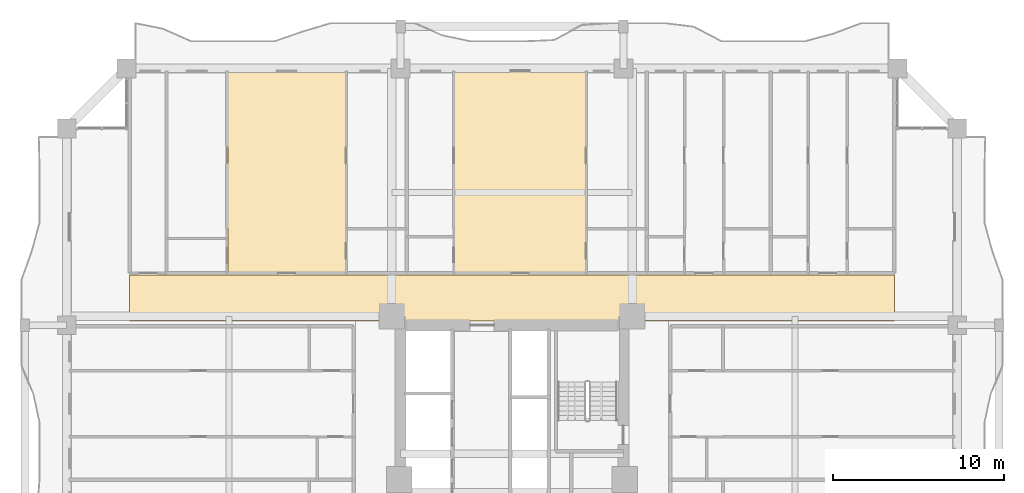
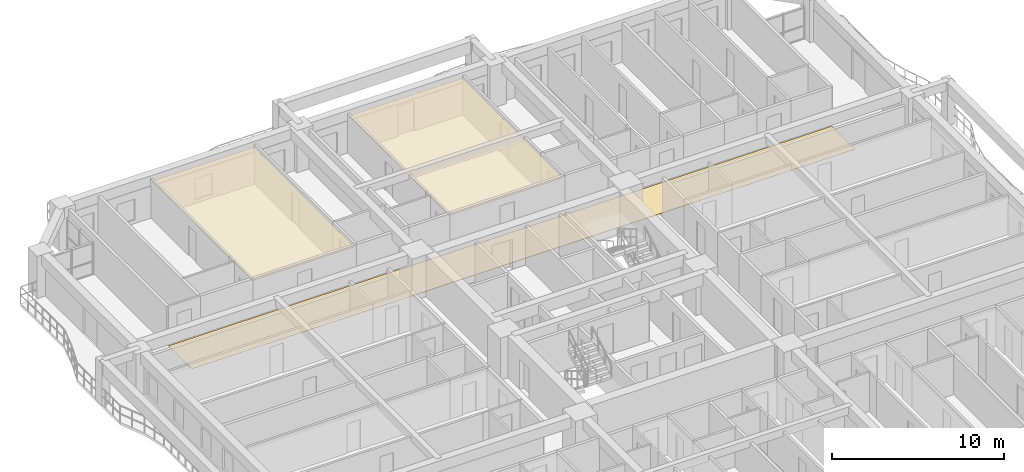
# One storey, part 27 of 28: 3 coverings.
"""IFC4 building model written with IfcOpenShell, lengths in metres."""

from ifc_helpers import new_model, si_unit, direction, frame, origin, place, context, subcontext, project, spatial, polyline, outline, extrude, material, layer, layer_set, type_object, element, save


model = new_model("IFC4")

# Units and contexts
model_context = context("Model", 3, precision=1e-05, world=origin(), true_north=direction((0.0, 1.0)))
body_context = subcontext(model_context, "Body", "Model", "MODEL_VIEW")
ifc_project = project(units=[si_unit("LENGTHUNIT", "METRE"), si_unit("AREAUNIT", "SQUARE_METRE"), si_unit("VOLUMEUNIT", "CUBIC_METRE"), si_unit("PLANEANGLEUNIT", "RADIAN"), si_unit("MASSUNIT", "GRAM", prefix="KILO")], contexts=[model_context])

# Site, building, storey
site_placement = place(None, origin())
site = spatial("IfcSite", under=ifc_project, at=site_placement, CompositionType="ELEMENT")
building_placement = place(site_placement, origin())
building = spatial("IfcBuilding", under=site, at=building_placement, Name="Saelheon Loggia Tower", CompositionType="ELEMENT")
storey_placement = place(building_placement, frame((0.0, 0.0, 25.39990234375)))
storey = spatial("IfcBuildingStorey", under=building, at=storey_placement, Name="L07", CompositionType="ELEMENT", Elevation=25.39990234375)

# Coverings
ifc_material_1 = material(Name="Mineral-Fibre Acoustic Ceiling Board", Category="gypsum")
ifc_layer_1 = layer(ifc_material_1, 0.02490234375)
ifc_layer_set_1 = layer_set([ifc_layer_1], Name="Mineral-Fibre Acoustic Ceiling Board")
covering_type_1 = type_object("IfcCoveringType", Name="Cov_Ceiling_Acoustic", PredefinedType="CEILING", material=ifc_layer_set_1)
covering_1_placement = place(storey_placement, frame((0.0, 0.0, 2.53515625)))
element("IfcCovering", 1, at=covering_1_placement, inside=storey, type_object=covering_type_1, Name="L07 Acoustic Suspended Ceiling", PredefinedType="CEILING", context=body_context, shape_type="SweptSolid", body=[
    extrude(outline(polyline([(21.40869140625, 39.10009765625), (28.27294921875, 39.10009765625), (28.27294921875, 50.800048828125), (21.40869140625, 50.800048828125), (21.40869140625, 39.10009765625)])), origin(), (0.0, 0.0, 1.0), 0.02490234375),
])
covering_2_placement = place(storey_placement, frame((0.0, 0.0, 2.53515625)))
element("IfcCovering", 2, at=covering_2_placement, inside=storey, type_object=covering_type_1, Name="L07 Acoustic Suspended Ceiling", PredefinedType="CEILING", context=body_context, shape_type="SweptSolid", body=[
    extrude(outline(polyline([(34.651611328125, 39.10009765625), (42.294677734375, 39.10009765625), (42.294677734375, 50.800048828125), (34.651611328125, 50.800048828125), (34.651611328125, 39.10009765625)])), origin(), (0.0, 0.0, 1.0), 0.02490234375),
])
ifc_material_2 = material(Name="Vitrified Porcelain Floor Tile", Category="ceramic")
ifc_layer_2 = layer(ifc_material_2, 0.02001953125)
ifc_layer_set_2 = layer_set([ifc_layer_2], Name="Vitrified Porcelain Floor Tile")
covering_type_2 = type_object("IfcCoveringType", Name="Cov_Floor_Porcelain", PredefinedType="FLOORING", material=ifc_layer_set_2)
covering_3_placement = place(storey_placement, origin())
element("IfcCovering", 3, at=covering_3_placement, inside=storey, type_object=covering_type_2, Name="L07 Corridor Porcelain Flooring", PredefinedType="FLOORING", context=body_context, shape_type="SweptSolid", body=[
    extrude(outline(polyline([(15.679931640625, 36.25), (60.320068359375, 36.25), (60.320068359375, 38.949951171875), (15.679931640625, 38.949951171875), (15.679931640625, 36.25)])), origin(), (0.0, 0.0, 1.0), 0.02001953125),
])

save(model, "model.ifc")
